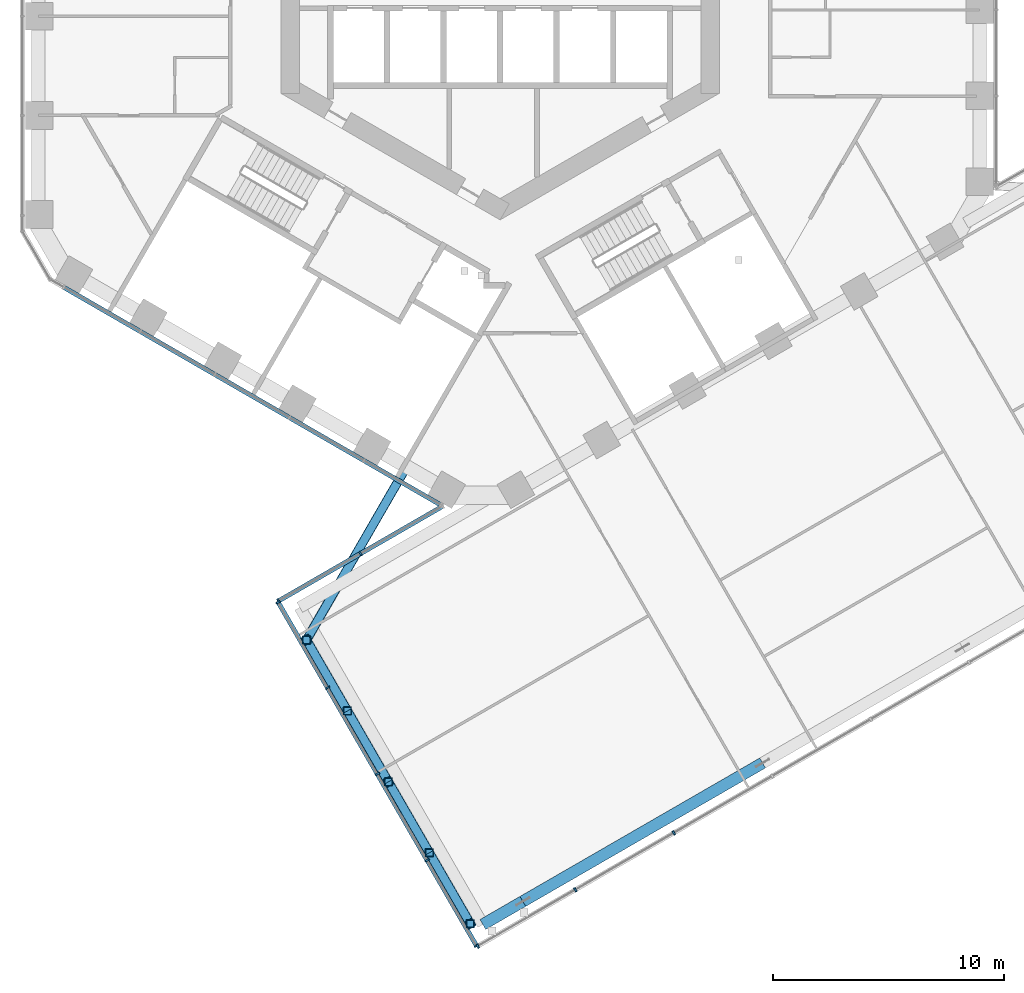
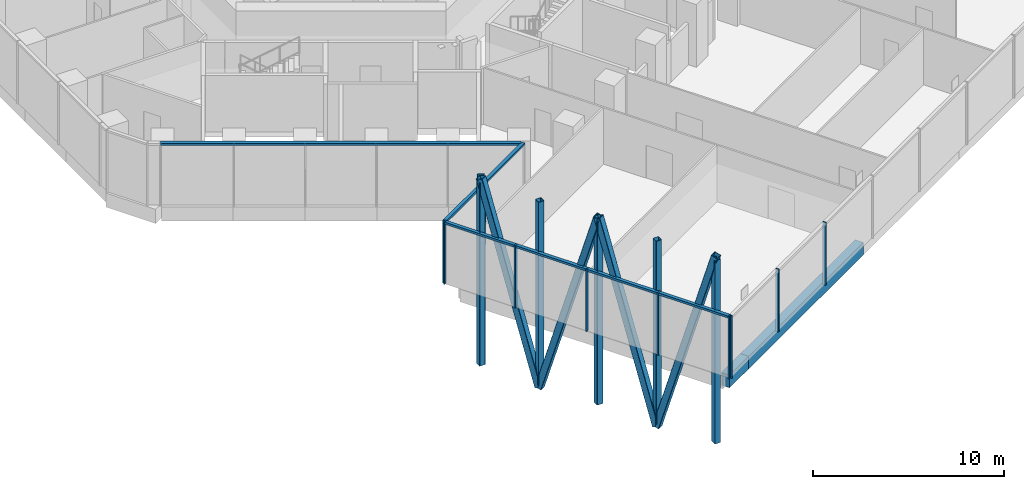
# One storey, part 2 of 27: 23 members, 2 beams, 4 elements without a shape of their own.
"""IFC4 building model written with IfcOpenShell, lengths in metres."""

from ifc_helpers import new_model, si_unit, direction, frame, origin, origin_2d, place, context, subcontext, project, spatial, rectangle, hollow_rectangle, extrude, material, layer, layer_set, material_profile, profile_set, type_object, element, aggregate, save


model = new_model("IFC4")

# Units and contexts
model_context = context("Model", 3, precision=1e-05, world=origin(), true_north=direction((0.0, 1.0)))
body_context = subcontext(model_context, "Body", "Model", "MODEL_VIEW")
ifc_project = project(units=[si_unit("LENGTHUNIT", "METRE"), si_unit("AREAUNIT", "SQUARE_METRE"), si_unit("VOLUMEUNIT", "CUBIC_METRE"), si_unit("PLANEANGLEUNIT", "RADIAN"), si_unit("MASSUNIT", "GRAM", prefix="KILO")], contexts=[model_context])

# Site, building, storey
site_placement = place(None, origin())
site = spatial("IfcSite", under=ifc_project, at=site_placement, CompositionType="ELEMENT")
building_placement = place(site_placement, origin())
building = spatial("IfcBuilding", under=site, at=building_placement, Name="Ayvan Gate Tower", CompositionType="ELEMENT")
storey_placement = place(building_placement, frame((0.0, 0.0, 70.300048828125)))
storey = spatial("IfcBuildingStorey", under=building, at=storey_placement, Name="L18", CompositionType="ELEMENT", Elevation=70.300048828125)

# Beams
ifc_material_1 = material(Name="Concrete C40/50", Category="concrete")
ifc_material_profile_1 = material_profile(ifc_material_1, rectangle(XDim=0.5, YDim=0.800048828125, at=origin_2d()), Name="RC 500x800")
ifc_profile_set_1 = profile_set([ifc_material_profile_1], Name="Concrete C40/50")
beam_type = type_object("IfcBeamType", Name="Sky bar edge beam RC 500x800 C40/50", PredefinedType="BEAM", material=ifc_profile_set_1)
beam_1_placement = place(storey_placement, frame((11.377685546875, -34.506591796875, -0.800048828125), z_axis=(-0.866026010844, -0.49999894854, 0.0), x_axis=(0.49999894854, -0.866026010844, 0.0)))
element("IfcBeam", 1, at=beam_1_placement, inside=storey, type_object=beam_type, Name="EB-B1-L18-6", PredefinedType="BEAM", context=body_context, shape_type="SweptSolid", body=[
    extrude(rectangle(XDim=0.5, YDim=0.800048828125, at=origin_2d()), origin(), (0.0, 0.0, 1.0), 12.0),
])
beam_2_placement = place(storey_placement, frame((0.9853515625, -40.506591796875, -0.800048828125), z_axis=(-0.866041268327, -0.499972520799, 0.0), x_axis=(0.499972520799, -0.866041268327, 0.0)))
element("IfcBeam", 2, at=beam_2_placement, inside=storey, type_object=beam_type, Name="EB-B1-L18-7", PredefinedType="BEAM", context=body_context, shape_type="SweptSolid", body=[
    extrude(rectangle(XDim=0.5, YDim=0.800048828125, at=origin_2d()), origin(), (0.0, 0.0, 1.0), 2.0),
])

# Members
ifc_material_2 = material(Name="Steel S460NH", Category="steel")
ifc_material_profile_2 = material_profile(ifc_material_2, hollow_rectangle(XDim=0.39990234375, YDim=0.39990234375, WallThickness=0.02001953125, InnerFilletRadius=0.02001953125, OuterFilletRadius=0.030029296875, at=origin_2d()), Name="RHS 400x400x20")
ifc_profile_set_2 = profile_set([ifc_material_profile_2], Name="Steel S460NH")
member_type_1 = type_object("IfcMemberType", Name="Sky bar truss brace B1 RHS 400x400x20", PredefinedType="BRACE", material=ifc_profile_set_2)
member_1_placement = place(storey_placement, frame((-4.051513671875, -21.660888671875, -4.75), z_axis=(-0.291419186147, -0.504745113397, 0.812592904502), x_axis=(0.866022090927, -0.500005737994, 0.0)))
element("IfcMember", 3, at=member_1_placement, inside=storey, type_object=member_type_1, Name="SBX1-B-D-1", PredefinedType="BRACE", context=body_context, shape_type="SweptSolid", body=[
    extrude(hollow_rectangle(XDim=0.39990234375, YDim=0.39990234375, WallThickness=0.02001953125, InnerFilletRadius=0.02001953125, OuterFilletRadius=0.030029296875, at=origin_2d()), origin(), (0.0, 0.0, 1.0), 14.890380859375),
])
for number, where, z_axis, x_axis, name in (
    (4, (-8.390869140625, -29.1767578125, 7.349853515625), (0.140773881087, -0.243813159747, -0.959550862403), (0.866012656725, 0.500022077904, 0.0), "SBX1-B-D-2"),
    (5, (-6.61572265625, -32.251220703125, -4.75), (0.140755568096, -0.243795613956, 0.959558006931), (0.866025242659, 0.500000279077, 0.0), "SBX1-B-D-3"),
    (6, (-4.8408203125, -35.325439453125, 7.349853515625), (0.140773881087, -0.243813159747, -0.959550862403), (0.866012656725, 0.500022077904, 0.0), "SBX1-B-D-4"),
    (7, (-3.065673828125, -38.39990234375, -4.75), (0.140754903685, -0.243813824223, 0.959553477513), (0.8660424351, 0.499970499736, 0.0), "SBX1-B-D-5"),
):
    element("IfcMember", number, at=place(storey_placement, frame(where, z_axis=z_axis, x_axis=x_axis)), inside=storey, type_object=member_type_1, Name=name, PredefinedType="BRACE", context=body_context, shape_type="SweptSolid", body=[
        extrude(hollow_rectangle(XDim=0.39990234375, YDim=0.39990234375, WallThickness=0.02001953125, InnerFilletRadius=0.02001953125, OuterFilletRadius=0.030029296875, at=origin_2d()), origin(), (0.0, 0.0, 1.0), 12.60986328125),
    ])
ifc_material_profile_3 = material_profile(ifc_material_2, hollow_rectangle(XDim=0.35009765625, YDim=0.35009765625, WallThickness=0.01611328125, InnerFilletRadius=0.01611328125, OuterFilletRadius=0.02392578125, at=origin_2d()), Name="RHS 350x350x16")
ifc_profile_set_3 = profile_set([ifc_material_profile_3], Name="Steel S460NH")
member_type_2 = type_object("IfcMemberType", Name="Sky bar truss post B1 RHS 350x350x16", PredefinedType="POST", material=ifc_profile_set_3)
for number, where, z_axis, x_axis, name in (
    (8, (-8.390869140625, -29.1767578125, -4.550048828125), (0.0, 0.0, 1.0), (1.0, 0.0, 0.0), "SBX1-B-P-1"),
    (9, (-6.61572265625, -32.251220703125, -4.550048828125), (0.0, 0.0, 1.0), (1.0, 0.0, 0.0), "SBX1-B-P-2"),
    (10, (-4.8408203125, -35.325439453125, -4.550048828125), (0.0, 0.0, 1.0), (1.0, 0.0, 0.0), "SBX1-B-P-3"),
    (11, (-3.065673828125, -38.39990234375, -4.550048828125), (0.0, 0.0, 1.0), (1.0, 0.0, 0.0), "SBX1-B-P-4"),
    (12, (-1.290771484375, -41.474365234375, -4.550048828125), (0.0, 0.0, 1.0), (1.0, 0.0, 0.0), "SBX1-B-P-5"),
):
    element("IfcMember", number, at=place(storey_placement, frame(where, z_axis=z_axis, x_axis=x_axis)), inside=storey, type_object=member_type_2, Name=name, PredefinedType="POST", context=body_context, shape_type="SweptSolid", body=[
        extrude(hollow_rectangle(XDim=0.35009765625, YDim=0.35009765625, WallThickness=0.01611328125, InnerFilletRadius=0.01611328125, OuterFilletRadius=0.02392578125, at=origin_2d()), origin(), (0.0, 0.0, 1.0), 11.699951171875),
    ])

# Curtain wall, member
ifc_material_3 = material(Name="Bronze anodised aluminium", Category="aluminium")
ifc_layer_1 = layer(ifc_material_3, 0.199951171875)
ifc_layer_set_1 = layer_set([ifc_layer_1], Name="Bronze anodised aluminium")
curtain_wall_type_1 = type_object("IfcCurtainWallType", Name="Stick curtain wall CW-1", PredefinedType="NOTDEFINED", material=ifc_layer_set_1)
curtain_wall_1_placement = place(storey_placement, origin())
curtain_wall_1 = element("IfcCurtainWall", 13, at=curtain_wall_1_placement, inside=storey, type_object=curtain_wall_type_1, Name="Stick curtain wall CW-1 L18", PredefinedType="NOTDEFINED")
ifc_material_profile_4 = material_profile(ifc_material_3, rectangle(XDim=0.199951171875, YDim=0.1201171875, at=origin_2d()), Name="Stick curtain wall CW-1 transom 200 x 120")
ifc_profile_set_4 = profile_set([ifc_material_profile_4], Name="Bronze anodised aluminium")
member_type_3 = type_object("IfcMemberType", Name="Stick curtain wall CW-1 transom 200 x 120", PredefinedType="USERDEFINED", material=ifc_profile_set_4)
member_2_placement = place(storey_placement, frame((-18.906494140625, -13.892578125, 3.93994140625), z_axis=(0.866024076914, -0.5000022982, 0.0), x_axis=(0.5000022982, 0.866024076914, 0.0)))
member_2 = element("IfcMember", 14, at=member_2_placement, type_object=member_type_3, Name="CW-1 transom 1", ObjectType="TRANSOM", PredefinedType="USERDEFINED", context=body_context, shape_type="SweptSolid", body=[
    extrude(rectangle(XDim=0.199951171875, YDim=0.1201171875, at=origin_2d()), origin(), (0.0, 0.0, 1.0), 18.8544921875),
])
aggregate(curtain_wall_1, [member_2])

# Curtain wall, members
ifc_layer_2 = layer(ifc_material_3, 0.199951171875)
ifc_layer_set_2 = layer_set([ifc_layer_2], Name="Bronze anodised aluminium")
curtain_wall_type_2 = type_object("IfcCurtainWallType", Name="Stick curtain wall CW-4", PredefinedType="NOTDEFINED", material=ifc_layer_set_2)
curtain_wall_2_placement = place(storey_placement, origin())
curtain_wall_2 = element("IfcCurtainWall", 15, at=curtain_wall_2_placement, inside=storey, type_object=curtain_wall_type_2, Name="Stick curtain wall CW-4 L18", PredefinedType="NOTDEFINED")
ifc_material_profile_5 = material_profile(ifc_material_3, rectangle(XDim=0.199951171875, YDim=0.080078125, at=origin_2d()), Name="Stick curtain wall CW-4 mullion 200 x 80")
ifc_profile_set_5 = profile_set([ifc_material_profile_5], Name="Bronze anodised aluminium")
member_type_4 = type_object("IfcMemberType", Name="Stick curtain wall CW-4 mullion 200 x 80", PredefinedType="MULLION", material=ifc_profile_set_5)
member_3_placement = place(storey_placement, frame((-9.617919921875, -27.54150390625, 0.0), z_axis=(0.0, 0.0, 1.0), x_axis=(-0.866025403784, -0.5, 0.0)))
member_3 = element("IfcMember", 16, at=member_3_placement, type_object=member_type_4, Name="CW-4 mullion 1", PredefinedType="MULLION", context=body_context, shape_type="SweptSolid", body=[
    extrude(rectangle(XDim=0.199951171875, YDim=0.080078125, at=origin_2d()), origin(), (0.0, 0.0, 1.0), 4.0),
])
member_4_placement = place(storey_placement, frame((-7.47900390625, -31.245849609375, 0.0), z_axis=(0.0, 0.0, 1.0), x_axis=(-0.866025403784, -0.5, 0.0)))
member_4 = element("IfcMember", 17, at=member_4_placement, type_object=member_type_4, Name="CW-4 mullion 2", PredefinedType="MULLION", context=body_context, shape_type="SweptSolid", body=[
    extrude(rectangle(XDim=0.199951171875, YDim=0.080078125, at=origin_2d()), origin(), (0.0, 0.0, 1.0), 4.0),
])
member_5_placement = place(storey_placement, frame((-5.3203125, -34.98486328125, 0.0), z_axis=(0.0, 0.0, 1.0), x_axis=(-0.866025403784, -0.5, 0.0)))
member_5 = element("IfcMember", 18, at=member_5_placement, type_object=member_type_4, Name="CW-4 mullion 3", PredefinedType="MULLION", context=body_context, shape_type="SweptSolid", body=[
    extrude(rectangle(XDim=0.199951171875, YDim=0.080078125, at=origin_2d()), origin(), (0.0, 0.0, 1.0), 4.0),
])
member_6_placement = place(storey_placement, frame((-3.16162109375, -38.723876953125, 0.0), z_axis=(0.0, 0.0, 1.0), x_axis=(-0.866025403784, -0.5, 0.0)))
member_6 = element("IfcMember", 19, at=member_6_placement, type_object=member_type_4, Name="CW-4 mullion 4", PredefinedType="MULLION", context=body_context, shape_type="SweptSolid", body=[
    extrude(rectangle(XDim=0.199951171875, YDim=0.080078125, at=origin_2d()), origin(), (0.0, 0.0, 1.0), 4.0),
])
member_7_placement = place(storey_placement, frame((-1.02294921875, -42.42822265625, 0.0), z_axis=(0.0, 0.0, 1.0), x_axis=(-0.866025403784, -0.5, 0.0)))
member_7 = element("IfcMember", 20, at=member_7_placement, type_object=member_type_4, Name="CW-4 mullion 5", PredefinedType="MULLION", context=body_context, shape_type="SweptSolid", body=[
    extrude(rectangle(XDim=0.199951171875, YDim=0.080078125, at=origin_2d()), origin(), (0.0, 0.0, 1.0), 4.0),
])

curtain_wall_3_placement = place(storey_placement, origin())
curtain_wall_3 = element("IfcCurtainWall", 21, at=curtain_wall_3_placement, inside=storey, type_object=curtain_wall_type_2, Name="Stick curtain wall CW-4 L18", PredefinedType="NOTDEFINED")
member_8_placement = place(storey_placement, frame((-0.96826171875, -42.44287109375, 0.0), z_axis=(0.0, 0.0, 1.0), x_axis=(0.5, -0.866025403784, 0.0)))
member_8 = element("IfcMember", 22, at=member_8_placement, type_object=member_type_4, Name="CW-4 mullion 1", PredefinedType="MULLION", context=body_context, shape_type="SweptSolid", body=[
    extrude(rectangle(XDim=0.199951171875, YDim=0.080078125, at=origin_2d()), origin(), (0.0, 0.0, 1.0), 4.0),
])
member_9_placement = place(storey_placement, frame((3.26220703125, -40.000244140625, 0.0), z_axis=(0.0, 0.0, 1.0), x_axis=(0.5, -0.866025403784, 0.0)))
member_9 = element("IfcMember", 23, at=member_9_placement, type_object=member_type_4, Name="CW-4 mullion 2", PredefinedType="MULLION", context=body_context, shape_type="SweptSolid", body=[
    extrude(rectangle(XDim=0.199951171875, YDim=0.080078125, at=origin_2d()), origin(), (0.0, 0.0, 1.0), 4.0),
])
member_10_placement = place(storey_placement, frame((7.52734375, -37.537841796875, 0.0), z_axis=(0.0, 0.0, 1.0), x_axis=(0.5, -0.866025403784, 0.0)))
member_10 = element("IfcMember", 24, at=member_10_placement, type_object=member_type_4, Name="CW-4 mullion 3", PredefinedType="MULLION", context=body_context, shape_type="SweptSolid", body=[
    extrude(rectangle(XDim=0.199951171875, YDim=0.080078125, at=origin_2d()), origin(), (0.0, 0.0, 1.0), 4.0),
])
aggregate(curtain_wall_3, [member_8, member_9, member_10])

curtain_wall_4_placement = place(storey_placement, origin())
curtain_wall_4 = element("IfcCurtainWall", 25, at=curtain_wall_4_placement, inside=storey, type_object=curtain_wall_type_2, Name="Stick curtain wall CW-4 L18", PredefinedType="NOTDEFINED")
member_11_placement = place(storey_placement, frame((-6.047119140625, -25.43359375, 0.0), z_axis=(0.0, 0.0, 1.0), x_axis=(-0.5, 0.866025403784, 0.0)))
member_11 = element("IfcMember", 26, at=member_11_placement, type_object=member_type_4, Name="CW-4 mullion 2", PredefinedType="MULLION", context=body_context, shape_type="SweptSolid", body=[
    extrude(rectangle(XDim=0.199951171875, YDim=0.080078125, at=origin_2d()), origin(), (0.0, 0.0, 1.0), 4.0),
])
member_12_placement = place(storey_placement, frame((-9.603271484375, -27.48681640625, 0.0), z_axis=(0.0, 0.0, 1.0), x_axis=(-0.5, 0.866025403784, 0.0)))
member_12 = element("IfcMember", 27, at=member_12_placement, type_object=member_type_4, Name="CW-4 mullion 3", PredefinedType="MULLION", context=body_context, shape_type="SweptSolid", body=[
    extrude(rectangle(XDim=0.199951171875, YDim=0.080078125, at=origin_2d()), origin(), (0.0, 0.0, 1.0), 4.0),
])

# Member
ifc_material_profile_6 = material_profile(ifc_material_3, rectangle(XDim=0.199951171875, YDim=0.139892578125, at=origin_2d()), Name="Stick curtain wall CW-4 transom 200 x 140")
ifc_profile_set_6 = profile_set([ifc_material_profile_6], Name="Bronze anodised aluminium")
member_type_5 = type_object("IfcMemberType", Name="Stick curtain wall CW-4 transom 200 x 140", PredefinedType="USERDEFINED", material=ifc_profile_set_6)
member_13_placement = place(storey_placement, frame((-9.617919921875, -27.54150390625, 3.929931640625), z_axis=(0.500005219324, -0.866022390385, 0.0), x_axis=(0.866022390385, 0.500005219324, 0.0)))
member_13 = element("IfcMember", 28, at=member_13_placement, type_object=member_type_5, Name="CW-4 transom 1", ObjectType="TRANSOM", PredefinedType="USERDEFINED", context=body_context, shape_type="SweptSolid", body=[
    extrude(rectangle(XDim=0.199951171875, YDim=0.139892578125, at=origin_2d()), origin(), (0.0, 0.0, 1.0), 17.189697265625),
])

aggregate(curtain_wall_2, [member_3, member_4, member_5, member_6, member_7, member_13])

member_14_placement = place(storey_placement, frame((-2.490966796875, -23.38037109375, 3.929931640625), z_axis=(-0.866017268904, -0.500014089762, 0.0), x_axis=(0.500014089762, -0.866017268904, 0.0)))
member_14 = element("IfcMember", 29, at=member_14_placement, type_object=member_type_5, Name="CW-4 transom 1", ObjectType="TRANSOM", PredefinedType="USERDEFINED", context=body_context, shape_type="SweptSolid", body=[
    extrude(rectangle(XDim=0.199951171875, YDim=0.139892578125, at=origin_2d()), origin(), (0.0, 0.0, 1.0), 8.212646484375),
])

aggregate(curtain_wall_4, [member_11, member_12, member_14])

save(model, "model.ifc")
